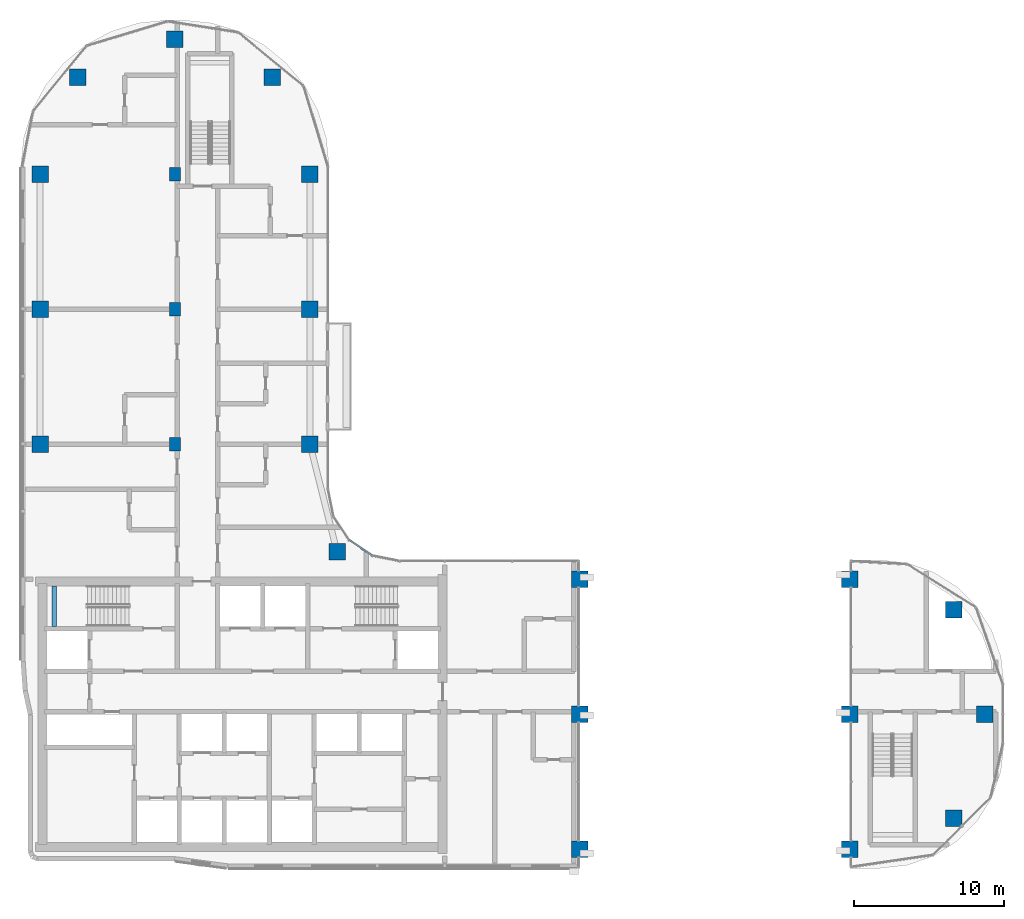
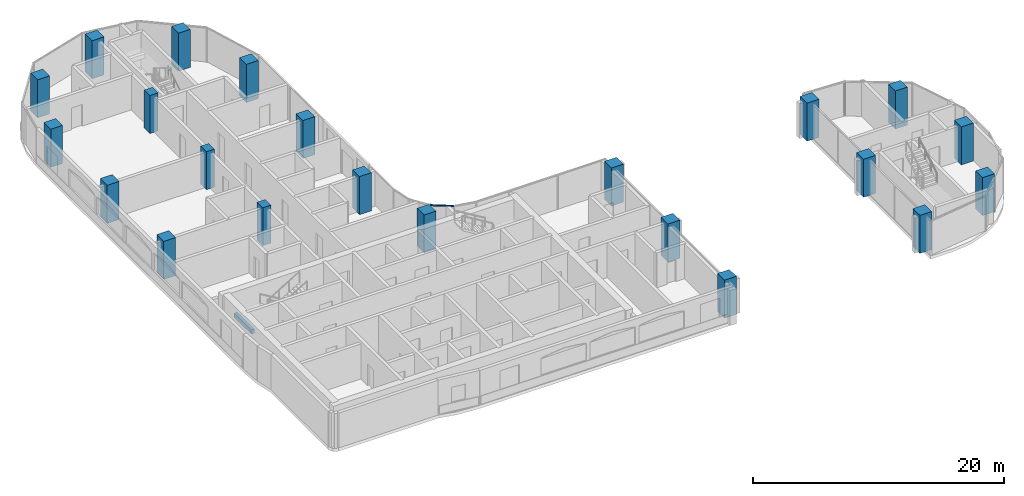
# One storey, part 1 of 23: 22 columns, 1 beam, 1 member, 1 element without a shape of its own.
"""IFC4 building model written with IfcOpenShell, lengths in metres."""

from ifc_helpers import new_model, si_unit, direction, frame, origin, origin_2d, place, context, subcontext, project, spatial, rectangle, extrude, material, material_profile, profile_set, type_object, element, aggregate, save


model = new_model("IFC4")

# Units and contexts
model_context = context("Model", 3, precision=1e-05, world=origin(), true_north=direction((0.0, 1.0)))
body_context = subcontext(model_context, "Body", "Model", "MODEL_VIEW")
ifc_project = project(units=[si_unit("LENGTHUNIT", "METRE"), si_unit("AREAUNIT", "SQUARE_METRE"), si_unit("VOLUMEUNIT", "CUBIC_METRE"), si_unit("PLANEANGLEUNIT", "RADIAN"), si_unit("MASSUNIT", "GRAM", prefix="KILO")], contexts=[model_context])

# Site, building, storey
site_placement = place(None, origin())
site = spatial("IfcSite", under=ifc_project, at=site_placement, CompositionType="ELEMENT")
building_placement = place(site_placement, origin())
building = spatial("IfcBuilding", under=site, at=building_placement, Name="Ogive Portal Towers", CompositionType="ELEMENT")
storey_placement = place(building_placement, frame((0.0, 0.0, 164.39990234375)))
storey = spatial("IfcBuildingStorey", under=building, at=storey_placement, Name="L40", CompositionType="ELEMENT", Elevation=164.39990234375)

# Columns
ifc_material_1 = material(Name="Concrete C60/75", Category="concrete")
ifc_material_profile_1 = material_profile(ifc_material_1, rectangle(XDim=1.10009765625, YDim=1.10009765625, at=origin_2d()), Name="RC 1100x1100")
ifc_profile_set_1 = profile_set([ifc_material_profile_1], Name="Concrete C60/75")
column_type_1 = type_object("IfcColumnType", Name="COLUMN RC 1100x1100", PredefinedType="COLUMN", material=ifc_profile_set_1)
for number, where, z_axis, x_axis, name in (
    (1, (67.5, 21.5, 0.0), (0.0, 0.0, 1.0), (1.0, 0.0, 0.0), "Column 5/A L40"),
    (2, (85.5, 21.5, 0.0), (0.0, 0.0, 1.0), (1.0, 0.0, 0.0), "Column 7/A L40"),
    (3, (92.449951171875, 23.550048828125, 0.0), (0.0, 0.0, 1.0), (1.0, 0.0, 0.0), "Column L40"),
    (4, (67.5, 30.5, 0.0), (0.0, 0.0, 1.0), (1.0, 0.0, 0.0), "Column 5/B L40"),
    (5, (85.5, 30.5, 0.0), (0.0, 0.0, 1.0), (1.0, 0.0, 0.0), "Column 7/B L40"),
    (6, (94.5, 30.5, 0.0), (0.0, 0.0, 1.0), (1.0, 0.0, 0.0), "Column 8/B L40"),
    (7, (92.449951171875, 37.449951171875, 0.0), (0.0, 0.0, 1.0), (1.0, 0.0, 0.0), "Column L40"),
    (8, (67.5, 39.5, 0.0), (0.0, 0.0, 1.0), (1.0, 0.0, 0.0), "Column 5/C L40"),
    (9, (85.5, 39.5, 0.0), (0.0, 0.0, 1.0), (1.0, 0.0, 0.0), "Column 7/C L40"),
    (10, (51.31005859375, 41.31005859375, 0.0), (0.0, 0.0, 1.0), (1.0, 0.0, 0.0), "Column L40"),
    (11, (31.5, 48.5, 0.0), (0.0, 0.0, 1.0), (1.0, 0.0, 0.0), "Column 1/D L40"),
    (12, (49.5, 48.5, 0.0), (0.0, 0.0, 1.0), (1.0, 0.0, 0.0), "Column 3/D L40"),
    (13, (31.5, 57.5, 0.0), (0.0, 0.0, 1.0), (1.0, 0.0, 0.0), "Column 1/E L40"),
    (14, (49.5, 57.5, 0.0), (0.0, 0.0, 1.0), (1.0, 0.0, 0.0), "Column 3/E L40"),
    (15, (31.5, 66.5, 0.0), (0.0, 0.0, 1.0), (1.0, 0.0, 0.0), "Column 1/F L40"),
    (16, (49.5, 66.5, 0.0), (0.0, 0.0, 1.0), (1.0, 0.0, 0.0), "Column 3/F L40"),
    (17, (34.027099609375, 72.972900390625, 0.0), (0.0, 0.0, 1.0), (1.0, 0.0, 0.0), "Column L40"),
    (18, (46.972900390625, 72.972900390625, 0.0), (0.0, 0.0, 1.0), (1.0, 0.0, 0.0), "Column L40"),
    (19, (40.5, 75.5, 0.0), (0.0, 0.0, 1.0), (1.0, 0.0, 0.0), "Column 2/G L40"),
):
    element("IfcColumn", number, at=place(storey_placement, frame(where, z_axis=z_axis, x_axis=x_axis)), inside=storey, type_object=column_type_1, Name=name, PredefinedType="COLUMN", context=body_context, shape_type="SweptSolid", body=[
        extrude(rectangle(XDim=1.10009765625, YDim=1.10009765625, at=origin_2d()), origin(), (0.0, 0.0, 1.0), 3.7001953125),
    ])
ifc_material_profile_2 = material_profile(ifc_material_1, rectangle(XDim=0.89990234375, YDim=0.75, at=origin_2d()), Name="RC 900x750")
ifc_profile_set_2 = profile_set([ifc_material_profile_2], Name="Concrete C60/75")
column_type_2 = type_object("IfcColumnType", Name="COLUMN RC 900x750", PredefinedType="COLUMN", material=ifc_profile_set_2)
for number, where, z_axis, x_axis, name in (
    (20, (40.5, 48.5, 0.0), (0.0, 0.0, 1.0), (0.0, 1.0, 0.0), "Column 2/D L40"),
    (21, (40.5, 57.5, 0.0), (0.0, 0.0, 1.0), (0.0, 1.0, 0.0), "Column 2/E L40"),
    (22, (40.5, 66.5, 0.0), (0.0, 0.0, 1.0), (0.0, 1.0, 0.0), "Column 2/F L40"),
):
    element("IfcColumn", number, at=place(storey_placement, frame(where, z_axis=z_axis, x_axis=x_axis)), inside=storey, type_object=column_type_2, Name=name, PredefinedType="COLUMN", context=body_context, shape_type="SweptSolid", body=[
        extrude(rectangle(XDim=0.89990234375, YDim=0.75, at=origin_2d()), origin(), (0.0, 0.0, 1.0), 3.7001953125),
    ])

# Beam
ifc_material_2 = material(Name="Concrete C40/50", Category="concrete")
ifc_material_profile_3 = material_profile(ifc_material_2, rectangle(XDim=0.300048828125, YDim=0.39990234375, at=origin_2d()), Name="RC 300x400")
ifc_profile_set_3 = profile_set([ifc_material_profile_3], Name="Concrete C40/50")
beam_type = type_object("IfcBeamType", Name="BEAM RC 300x400", PredefinedType="BEAM", material=ifc_profile_set_3)
beam_placement = place(storey_placement, frame((32.449951171875, 36.35009765625, 1.4501953125), z_axis=(0.0, 1.0, 0.0), x_axis=(-1.0, 0.0, 0.0)))
element("IfcBeam", 23, at=beam_placement, inside=storey, type_object=beam_type, Name="Landing beam L40", PredefinedType="BEAM", context=body_context, shape_type="SweptSolid", body=[
    extrude(rectangle(XDim=0.300048828125, YDim=0.39990234375, at=origin_2d()), origin(), (0.0, 0.0, 1.0), 2.699951171875),
])

# Curtain wall, member
ifc_material_3 = material(Name="Glass, clear low-iron insulated glazing", Category="glass")
curtain_wall_type = type_object("IfcCurtainWallType", Name="CW FRONT RIBBON 4500", PredefinedType="NOTDEFINED", material=ifc_material_3)
curtain_wall_placement = place(storey_placement, origin())
curtain_wall = element("IfcCurtainWall", 24, at=curtain_wall_placement, inside=storey, type_object=curtain_wall_type, Name="A:L40:f08:cwa", PredefinedType="NOTDEFINED")
ifc_material_4 = material(Name="Aluminium 6063 anodised", Category="aluminium")
ifc_material_profile_4 = material_profile(ifc_material_4, rectangle(XDim=0.1201171875, YDim=0.06005859375, at=origin_2d()), Name="AL 120x60")
ifc_profile_set_4 = profile_set([ifc_material_profile_4], Name="Aluminium 6063 anodised")
member_type = type_object("IfcMemberType", Name="CW TRANSOM 60x120", PredefinedType="USERDEFINED", material=ifc_profile_set_4)
member_placement = place(storey_placement, frame((53.66455078125, 41.068603515625, 3.3701171875), z_axis=(-0.831467842992, 0.55557288097, 0.0), x_axis=(-0.55557288097, -0.831467842992, 0.0)))
member = element("IfcMember", 25, at=member_placement, type_object=member_type, Name="transom", ObjectType="TRANSOM", PredefinedType="USERDEFINED", context=body_context, shape_type="SweptSolid", body=[
    extrude(rectangle(XDim=0.1201171875, YDim=0.06005859375, at=origin_2d()), origin(), (0.0, 0.0, 1.0), 1.87158203125),
])
aggregate(curtain_wall, [member])

save(model, "model.ifc")
